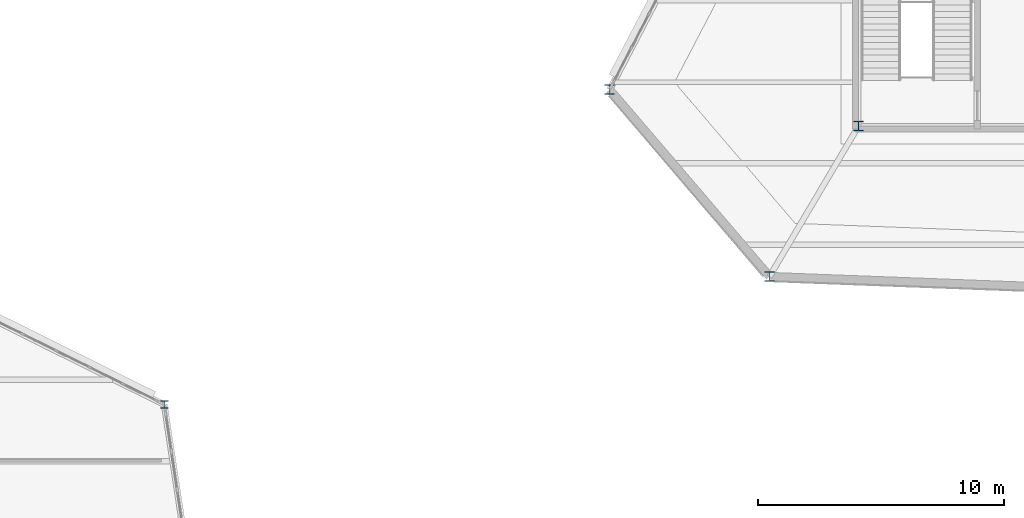
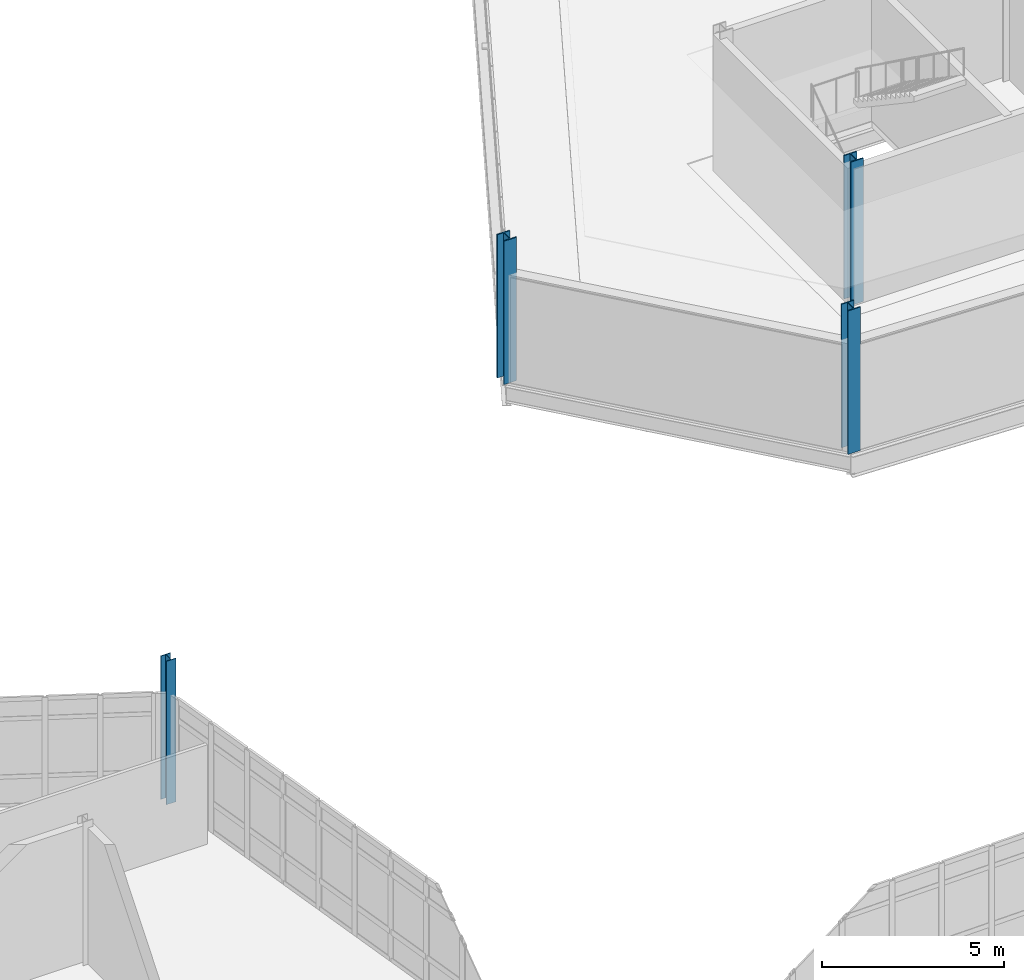
# One storey, part 16 of 134: 4 columns.
"""IFC4 building model written with IfcOpenShell, lengths in metres."""

from ifc_helpers import new_model, si_unit, direction, frame, origin, origin_2d, place, context, subcontext, project, spatial, i_section, extrude, material, material_profile, profile_set, type_object, element, save


model = new_model("IFC4")

# Units and contexts
model_context = context("Model", 3, precision=1e-05, world=origin(), true_north=direction((0.0, 1.0)))
body_context = subcontext(model_context, "Body", "Model", "MODEL_VIEW")
ifc_project = project(units=[si_unit("LENGTHUNIT", "METRE"), si_unit("AREAUNIT", "SQUARE_METRE"), si_unit("VOLUMEUNIT", "CUBIC_METRE"), si_unit("PLANEANGLEUNIT", "RADIAN"), si_unit("MASSUNIT", "GRAM", prefix="KILO")], contexts=[model_context])

# Site, building, storey
site_placement = place(None, origin())
site = spatial("IfcSite", under=ifc_project, at=site_placement, CompositionType="ELEMENT")
building_placement = place(site_placement, origin())
building = spatial("IfcBuilding", under=site, at=building_placement, Name="Tameran Prism Museum", CompositionType="ELEMENT")
storey_placement = place(building_placement, frame((0.0, 0.0, 5.39990234375)))
storey = spatial("IfcBuildingStorey", under=building, at=storey_placement, Name="L01", CompositionType="ELEMENT", Elevation=5.39990234375)

# Columns
ifc_material_1 = material(Name="Steel Grade 300PLUS (300 MPa)", Category="steel")
ifc_material_profile_1 = material_profile(ifc_material_1, i_section(OverallWidth=0.306884765625, OverallDepth=0.31494140625, WebThickness=0.011962890625, FlangeThickness=0.018798828125, FilletRadius=0.0166015625, at=origin_2d()))
ifc_profile_set_1 = profile_set([ifc_material_profile_1])
column_type_1 = type_object("IfcColumnType", Name="COL-UC310C", PredefinedType="COLUMN", material=ifc_profile_set_1)
column_placement = place(storey_placement, frame((74.800048828125, 66.10009765625, 0.0), z_axis=(0.0, 0.0, 1.0), x_axis=(1.0, 0.0, 0.0)))
element("IfcColumn", 1, at=column_placement, inside=storey, type_object=column_type_1, Name="Column CV-33 L01", PredefinedType="COLUMN", context=body_context, shape_type="SweptSolid", body=[
    extrude(i_section(OverallWidth=0.306884765625, OverallDepth=0.31494140625, WebThickness=0.011962890625, FlangeThickness=0.018798828125, FilletRadius=0.0166015625, at=origin_2d()), origin(), (0.0, 0.0, 1.0), 4.800048828125),
])
ifc_material_2 = material(Name="Steel Grade 350 (350 MPa)", Category="steel")
ifc_material_profile_2 = material_profile(ifc_material_2, i_section(OverallWidth=0.39990234375, OverallDepth=0.39990234375, WebThickness=0.02197265625, FlangeThickness=0.035888671875, at=origin_2d()))
ifc_profile_set_2 = profile_set([ifc_material_profile_2])
column_type_2 = type_object("IfcColumnType", Name="COL-WC400", PredefinedType="COLUMN", material=ifc_profile_set_2)
for number, where, z_axis, x_axis, name in (
    (2, (92.89990234375, 78.89990234375, 0.0), (0.0, 0.0, 1.0), (1.0, 0.0, 0.0), "Column CV-37 L01"),
    (3, (99.39990234375, 71.300048828125, 0.0), (0.0, 0.0, 1.0), (1.0, 0.0, 0.0), "Column CV-40 L01"),
    (4, (103.02001953125, 77.419921875, 0.0), (0.0, 0.0, 1.0), (1.0, 0.0, 0.0), "Column CC-1-1 L01"),
):
    element("IfcColumn", number, at=place(storey_placement, frame(where, z_axis=z_axis, x_axis=x_axis)), inside=storey, type_object=column_type_2, Name=name, PredefinedType="COLUMN", context=body_context, shape_type="SweptSolid", body=[
        extrude(i_section(OverallWidth=0.39990234375, OverallDepth=0.39990234375, WebThickness=0.02197265625, FlangeThickness=0.035888671875, at=origin_2d()), origin(), (0.0, 0.0, 1.0), 4.800048828125),
    ])

save(model, "model.ifc")
